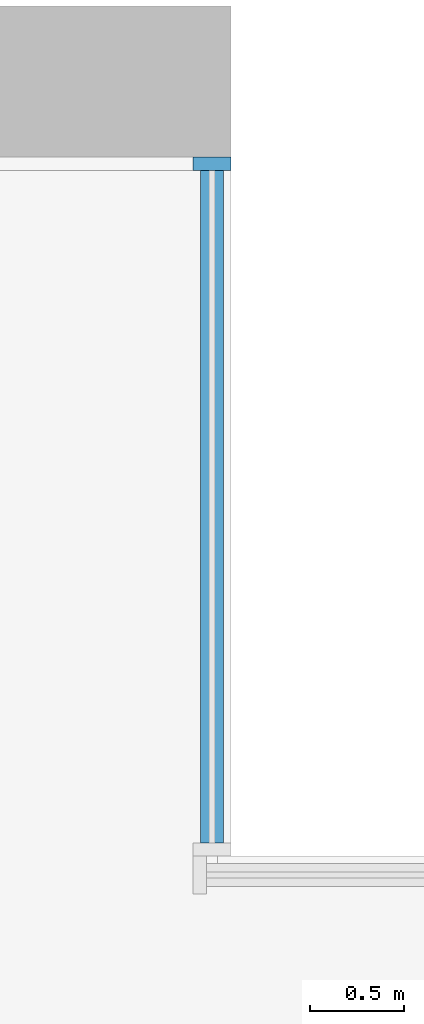
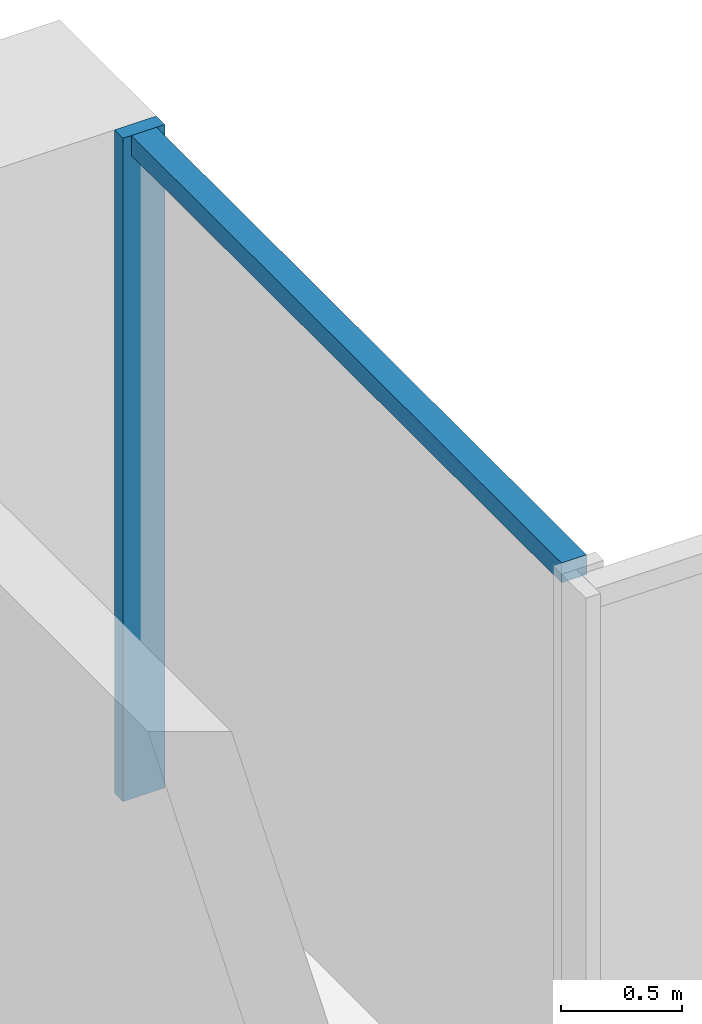
# One storey, part 6 of 15: 2 members, 1 element without a shape of its own.
"""IFC4 building model written with IfcOpenShell, lengths in metres."""

from ifc_helpers import new_model, si_unit, direction, frame, origin, origin_2d, place, context, subcontext, project, spatial, rectangle, extrude, material, material_profile, profile_set, type_object, element, aggregate, save


model = new_model("IFC4")

# Units and contexts
model_context = context("Model", 3, precision=1e-05, world=origin(), true_north=direction((0.0, 1.0)))
body_context = subcontext(model_context, "Body", "Model", "MODEL_VIEW")
ifc_project = project(units=[si_unit("LENGTHUNIT", "METRE"), si_unit("AREAUNIT", "SQUARE_METRE"), si_unit("VOLUMEUNIT", "CUBIC_METRE"), si_unit("PLANEANGLEUNIT", "RADIAN"), si_unit("MASSUNIT", "GRAM", prefix="KILO")], contexts=[model_context])

# Site, building, storey
site_placement = place(None, origin())
site = spatial("IfcSite", under=ifc_project, at=site_placement, CompositionType="ELEMENT")
building_placement = place(site_placement, origin())
building = spatial("IfcBuilding", under=site, at=building_placement, Name="Calvaro Tower", CompositionType="ELEMENT")
storey_placement = place(building_placement, frame((0.0, 0.0, 132.5)))
storey = spatial("IfcBuildingStorey", under=building, at=storey_placement, Name="L33", CompositionType="ELEMENT", Elevation=132.5)

# Curtain wall, members
ifc_material_1 = material(Name="Anodised aluminium", Category="aluminium")
curtain_wall_type = type_object("IfcCurtainWallType", Name="Office curtain wall, middle zone", PredefinedType="NOTDEFINED", material=ifc_material_1)
curtain_wall_placement = place(storey_placement, origin())
curtain_wall = element("IfcCurtainWall", 1, at=curtain_wall_placement, inside=storey, type_object=curtain_wall_type, Name="CW2 corner curtain wall", PredefinedType="NOTDEFINED")
ifc_material_2 = material(Name="Anodised aluminium", Category="aluminium")
ifc_material_profile_1 = material_profile(ifc_material_2, rectangle(XDim=0.199951171875, YDim=0.070068359375, at=origin_2d()), Name="Mullion S2 70 x 200")
ifc_profile_set_1 = profile_set([ifc_material_profile_1], Name="Anodised aluminium")
member_type_1 = type_object("IfcMemberType", Name="Mullion S2 70 x 200", PredefinedType="MULLION", material=ifc_profile_set_1)
member_1_placement = place(storey_placement, frame((66.35009765625, 45.1650390625, 0.0), z_axis=(0.0, 0.0, 1.0), x_axis=(-1.0, 0.0, 0.0)))
member_1 = element("IfcMember", 2, at=member_1_placement, type_object=member_type_1, Name="CW2 mullion 2", PredefinedType="MULLION", context=body_context, shape_type="SweptSolid", body=[
    extrude(rectangle(XDim=0.199951171875, YDim=0.070068359375, at=origin_2d()), origin(), (0.0, 0.0, 1.0), 3.35009765625),
])
ifc_material_3 = material(Name="Anodised aluminium", Category="aluminium")
ifc_material_profile_2 = material_profile(ifc_material_3, rectangle(XDim=0.1201171875, YDim=0.10009765625, at=origin_2d()), Name="Transom S2 100 x 120")
ifc_profile_set_2 = profile_set([ifc_material_profile_2], Name="Anodised aluminium")
member_type_2 = type_object("IfcMemberType", Name="Transom S2 100 x 120", PredefinedType="USERDEFINED", material=ifc_profile_set_2)
member_2_placement = place(storey_placement, frame((66.35009765625, 41.570068359375, 3.300048828125), z_axis=(0.0, 1.0, 0.0), x_axis=(-1.0, 0.0, 0.0)))
member_2 = element("IfcMember", 3, at=member_2_placement, type_object=member_type_2, Name="CW2 transom 1.1", ObjectType="TRANSOM", PredefinedType="USERDEFINED", context=body_context, shape_type="SweptSolid", body=[
    extrude(rectangle(XDim=0.1201171875, YDim=0.10009765625, at=origin_2d()), origin(), (0.0, 0.0, 1.0), 3.559814453125),
])
aggregate(curtain_wall, [member_1, member_2])

save(model, "model.ifc")
